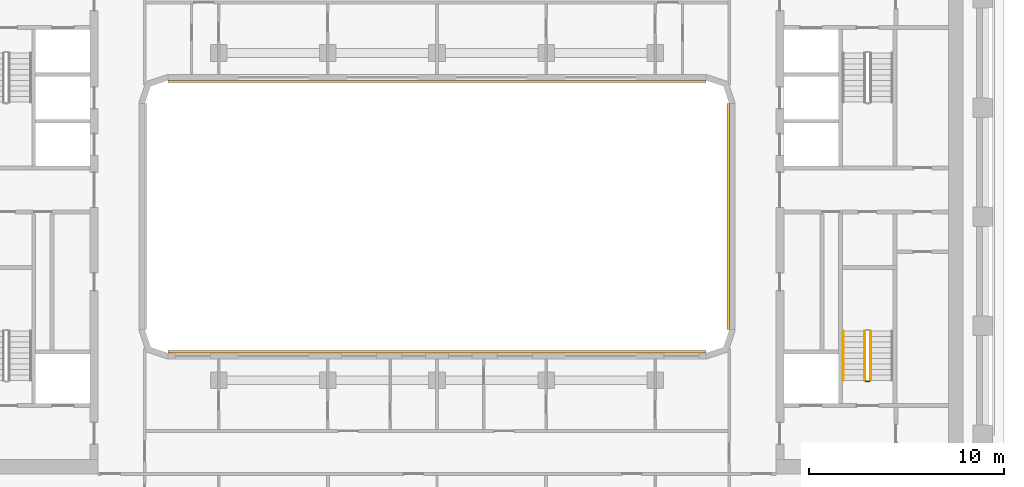
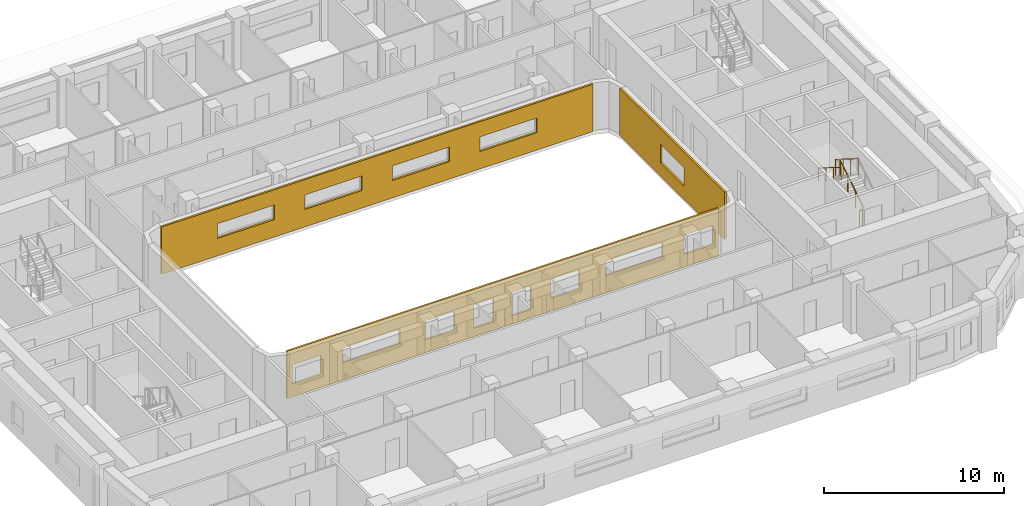
# One storey, part 16 of 22: 4 railings, 3 coverings.
"""IFC4 building model written with IfcOpenShell, lengths in metres."""

from ifc_helpers import new_model, si_unit, direction, frame, origin, origin_2d, place, context, subcontext, project, spatial, polyline, circle, outline, extrude, material, layer, layer_set, type_object, element, save


model = new_model("IFC4")

# Units and contexts
model_context = context("Model", 3, precision=1e-05, world=origin(), true_north=direction((0.0, 1.0)))
body_context = subcontext(model_context, "Body", "Model", "MODEL_VIEW")
ifc_project = project(units=[si_unit("LENGTHUNIT", "METRE"), si_unit("AREAUNIT", "SQUARE_METRE"), si_unit("VOLUMEUNIT", "CUBIC_METRE"), si_unit("PLANEANGLEUNIT", "RADIAN"), si_unit("MASSUNIT", "GRAM", prefix="KILO")], contexts=[model_context])

# Site, building, storey
site_placement = place(None, origin())
site = spatial("IfcSite", under=ifc_project, at=site_placement, CompositionType="ELEMENT")
building_placement = place(site_placement, origin())
building = spatial("IfcBuilding", under=site, at=building_placement, Name="Kiln Ring Residences", CompositionType="ELEMENT")
storey_placement = place(building_placement, frame((0.0, 0.0, 167.60009765625)))
storey = spatial("IfcBuildingStorey", under=building, at=storey_placement, Name="L43", CompositionType="ELEMENT", Elevation=167.60009765625)

# Railings
ifc_material_1 = material(Name="Stainless steel", Category="steel")
railing_type_1 = type_object("IfcRailingType", Name="CORE-STAIR-GUARD", PredefinedType="GUARDRAIL", material=ifc_material_1)
railing_1_placement = place(storey_placement, frame((22.25, -8.39990234375, 0.1748046875)))
element("IfcRailing", 1, at=railing_1_placement, inside=storey, type_object=railing_type_1, Name="L43 E-STS stair guard 1", PredefinedType="GUARDRAIL", context=body_context, shape_type="SweptSolid", body=[
    extrude(circle(Radius=0.02392578125, at=origin_2d()), frame((0.0, 0.0, 1.076171875), z_axis=(0.0, 0.847970611238, 0.530043245855), x_axis=(-1.0, 0.0, 0.0)), (0.0, 0.0, 1.0), 2.971923828125),
    extrude(circle(Radius=0.02099609375, at=origin_2d()), origin(), (0.0, 0.0, 1.0), 1.052001953125),
    extrude(circle(Radius=0.02099609375, at=origin_2d()), frame((0.0, 0.840087890625, 0.525146484375)), (0.0, 0.0, 1.0), 1.052001953125),
    extrude(circle(Radius=0.02099609375, at=origin_2d()), frame((0.0, 1.679931640625, 1.050048828125)), (0.0, 0.0, 1.0), 1.052001953125),
    extrude(circle(Radius=0.02099609375, at=origin_2d()), frame((0.0, 2.52001953125, 1.5751953125)), (0.0, 0.0, 1.0), 1.052001953125),
])
railing_2_placement = place(storey_placement, frame((21.949951171875, -5.8798828125, 1.9248046875)))
element("IfcRailing", 2, at=railing_2_placement, inside=storey, type_object=railing_type_1, Name="L43 E-STS stair guard 3", PredefinedType="GUARDRAIL", context=body_context, shape_type="SweptSolid", body=[
    extrude(circle(Radius=0.02392578125, at=origin_2d()), frame((0.0, 0.0, 1.076171875), z_axis=(0.0, -0.847970611238, 0.530043245855), x_axis=(1.0, 0.0, 0.0)), (0.0, 0.0, 1.0), 2.971923828125),
    extrude(circle(Radius=0.02099609375, at=origin_2d()), origin(), (0.0, 0.0, 1.0), 1.052001953125),
    extrude(circle(Radius=0.02099609375, at=origin_2d()), frame((0.0, -0.840087890625, 0.525146484375)), (0.0, 0.0, 1.0), 1.052001953125),
    extrude(circle(Radius=0.02099609375, at=origin_2d()), frame((0.0, -1.679931640625, 1.050048828125)), (0.0, 0.0, 1.0), 1.052001953125),
    extrude(circle(Radius=0.02099609375, at=origin_2d()), frame((0.0, -2.52001953125, 1.5751953125)), (0.0, 0.0, 1.0), 1.052001953125),
])
railing_3_placement = place(storey_placement, frame((22.199951171875, -8.449951171875, 0.0)))
element("IfcRailing", 3, at=railing_3_placement, inside=storey, type_object=railing_type_1, Name="L43 E-STS stair guard 4", PredefinedType="GUARDRAIL", context=body_context, shape_type="SweptSolid", body=[
    extrude(circle(Radius=0.02392578125, at=origin_2d()), frame((0.0, 0.0, 1.076171875), z_axis=(-1.0, 0.0, 0.0), x_axis=(0.0, -1.0, 0.0)), (0.0, 0.0, 1.0), 0.199951171875),
    extrude(circle(Radius=0.02099609375, at=origin_2d()), origin(), (0.0, 0.0, 1.0), 1.052001953125),
    extrude(circle(Radius=0.02099609375, at=origin_2d()), frame((-0.199951171875, 0.0, 0.0)), (0.0, 0.0, 1.0), 1.052001953125),
])
ifc_material_2 = material(Name="Stainless steel", Category="steel")
railing_type_2 = type_object("IfcRailingType", Name="CORE-STAIR-HANDRAIL", PredefinedType="HANDRAIL", material=ifc_material_2)
railing_4_placement = place(storey_placement, frame((20.85009765625, -5.8798828125, 1.9248046875)))
element("IfcRailing", 4, at=railing_4_placement, inside=storey, type_object=railing_type_2, Name="L43 E-STS stair handrail 2", PredefinedType="HANDRAIL", context=body_context, shape_type="SweptSolid", body=[
    extrude(circle(Radius=0.02392578125, at=origin_2d()), frame((0.0, 0.0, 0.8759765625), z_axis=(0.0, -0.847970611238, 0.530043245855), x_axis=(1.0, 0.0, 0.0)), (0.0, 0.0, 1.0), 2.971923828125),
    extrude(circle(Radius=0.02099609375, at=origin_2d()), origin(), (0.0, 0.0, 1.0), 0.851806640625),
    extrude(circle(Radius=0.02099609375, at=origin_2d()), frame((0.0, -0.840087890625, 0.525146484375)), (0.0, 0.0, 1.0), 0.851806640625),
    extrude(circle(Radius=0.02099609375, at=origin_2d()), frame((0.0, -1.679931640625, 1.050048828125)), (0.0, 0.0, 1.0), 0.851806640625),
    extrude(circle(Radius=0.02099609375, at=origin_2d()), frame((0.0, -2.52001953125, 1.5751953125)), (0.0, 0.0, 1.0), 0.851806640625),
])

# Coverings
ifc_material_3 = material(Name="Brick masonry, dark clay brick", Category="masonry")
ifc_layer = layer(ifc_material_3, 0.1201171875)
ifc_layer_set = layer_set([ifc_layer], Name="RAINSCREEN PANEL 120")
covering_type = type_object("IfcCoveringType", Name="RAINSCREEN PANEL 120", PredefinedType="CLADDING", material=ifc_layer_set)
covering_1_placement = place(storey_placement, frame((-13.800048828125, 6.93994140625, 0.0), z_axis=(0.0, 0.0, 1.0), x_axis=(1.0, 0.0, 0.0)))
element("IfcCovering", 5, at=covering_1_placement, inside=storey, type_object=covering_type, Name="RAINSCREEN L43", PredefinedType="CLADDING", context=body_context, shape_type="SweptSolid", body=[
    extrude(outline(polyline([(0.0, 0.0), (27.60009765625, 0.0), (27.60009765625, 3.199951171875), (0.0, 3.199951171875), (0.0, 0.0)]), holes=[polyline([(7.219970703125, 1.179931640625), (7.219970703125, 2.169921875), (3.580078125, 2.169921875), (3.580078125, 1.179931640625), (7.219970703125, 1.179931640625)]), polyline([(12.820068359375, 1.179931640625), (12.820068359375, 2.169921875), (9.179931640625, 2.169921875), (9.179931640625, 1.179931640625), (12.820068359375, 1.179931640625)]), polyline([(18.419921875, 1.179931640625), (18.419921875, 2.169921875), (14.780029296875, 2.169921875), (14.780029296875, 1.179931640625), (18.419921875, 1.179931640625)]), polyline([(24.02001953125, 1.179931640625), (24.02001953125, 2.169921875), (20.3798828125, 2.169921875), (20.3798828125, 1.179931640625), (24.02001953125, 1.179931640625)])]), frame((0.0, 0.06005859375, 0.0), z_axis=(0.0, -1.0, 0.0), x_axis=(1.0, 0.0, 0.0)), (0.0, 0.0, 1.0), 0.1201171875),
])
covering_2_placement = place(storey_placement, frame((14.93994140625, 5.800048828125, 0.0), z_axis=(0.0, 0.0, 1.0), x_axis=(0.0, -1.0, 0.0)))
element("IfcCovering", 6, at=covering_2_placement, inside=storey, type_object=covering_type, Name="RAINSCREEN L43", PredefinedType="CLADDING", context=body_context, shape_type="SweptSolid", body=[
    extrude(outline(polyline([(0.0, 0.0), (11.60009765625, 0.0), (11.60009765625, 3.199951171875), (0.0, 3.199951171875), (0.0, 0.0)]), holes=[polyline([(4.5, 2.14990234375), (4.5, 0.89990234375), (7.10009765625, 0.89990234375), (7.10009765625, 2.14990234375), (4.5, 2.14990234375)])]), frame((0.0, 0.06005859375, 0.0), z_axis=(0.0, -1.0, 0.0), x_axis=(1.0, 0.0, 0.0)), (0.0, 0.0, 1.0), 0.1201171875),
])
covering_3_placement = place(storey_placement, frame((13.800048828125, -6.93994140625, 0.0), z_axis=(0.0, 0.0, 1.0), x_axis=(-1.0, 0.0, 0.0)))
element("IfcCovering", 7, at=covering_3_placement, inside=storey, type_object=covering_type, Name="RAINSCREEN L43", PredefinedType="CLADDING", context=body_context, shape_type="SweptSolid", body=[
    extrude(outline(polyline([(0.0, 0.0), (27.60009765625, 0.0), (27.60009765625, 3.199951171875), (0.0, 3.199951171875), (0.0, 0.0)]), holes=[polyline([(11.97998046875, 0.579833984375), (13.219970703125, 0.579833984375), (13.219970703125, 2.169921875), (11.97998046875, 2.169921875), (11.97998046875, 0.579833984375)]), polyline([(14.3798828125, 0.579833984375), (15.6201171875, 0.579833984375), (15.6201171875, 2.169921875), (14.3798828125, 2.169921875), (14.3798828125, 0.579833984375)]), polyline([(0.342529296875, 0.8798828125), (2.1826171875, 0.8798828125), (2.1826171875, 2.169921875), (0.342529296875, 2.169921875), (0.342529296875, 0.8798828125)]), polyline([(8.8798828125, 0.8798828125), (10.719970703125, 0.8798828125), (10.719970703125, 2.169921875), (8.8798828125, 2.169921875), (8.8798828125, 0.8798828125)]), polyline([(16.8798828125, 0.8798828125), (18.719970703125, 0.8798828125), (18.719970703125, 2.169921875), (16.8798828125, 2.169921875), (16.8798828125, 0.8798828125)]), polyline([(25.41748046875, 0.8798828125), (27.257568359375, 0.8798828125), (27.257568359375, 2.169921875), (25.41748046875, 2.169921875), (25.41748046875, 0.8798828125)]), polyline([(3.580078125, 1.179931640625), (7.219970703125, 1.179931640625), (7.219970703125, 2.169921875), (3.580078125, 2.169921875), (3.580078125, 1.179931640625)]), polyline([(20.3798828125, 1.179931640625), (24.02001953125, 1.179931640625), (24.02001953125, 2.169921875), (20.3798828125, 2.169921875), (20.3798828125, 1.179931640625)])]), frame((0.0, 0.06005859375, 0.0), z_axis=(0.0, -1.0, 0.0), x_axis=(1.0, 0.0, 0.0)), (0.0, 0.0, 1.0), 0.1201171875),
])

save(model, "model.ifc")
